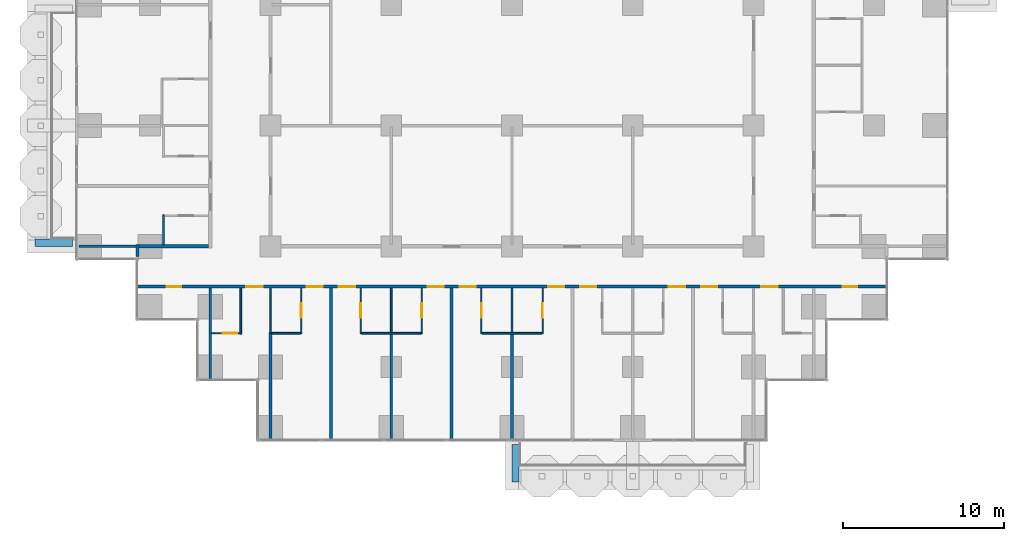
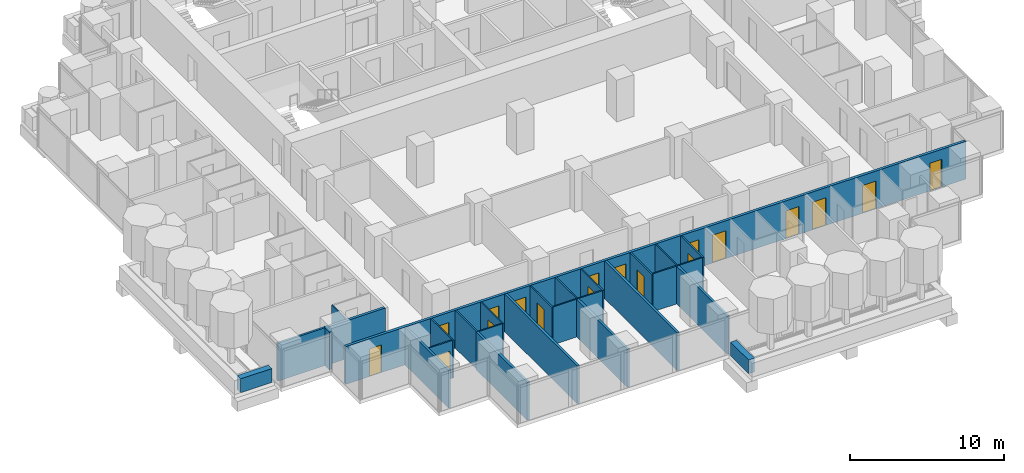
# One storey, part 11 of 19: 26 walls, 18 doors, 18 openings.
"""IFC4 building model written with IfcOpenShell, lengths in metres."""

from ifc_helpers import new_model, si_unit, direction, frame, frame_2d, origin, place, context, subcontext, project, spatial, rectangle, extrude, material, layer, layer_set, type_object, element, fill, save


model = new_model("IFC4")

# Units and contexts
model_context = context("Model", 3, precision=1e-05, world=origin(), true_north=direction((0.0, 1.0)))
body_context = subcontext(model_context, "Body", "Model", "MODEL_VIEW")
ifc_project = project(units=[si_unit("LENGTHUNIT", "METRE"), si_unit("AREAUNIT", "SQUARE_METRE"), si_unit("VOLUMEUNIT", "CUBIC_METRE"), si_unit("PLANEANGLEUNIT", "RADIAN"), si_unit("MASSUNIT", "GRAM", prefix="KILO")], contexts=[model_context])

# Site, building, storey
site_placement = place(None, origin())
site = spatial("IfcSite", under=ifc_project, at=site_placement, CompositionType="ELEMENT")
building_placement = place(site_placement, origin())
building = spatial("IfcBuilding", under=site, at=building_placement, Name="Pilkhan Gate Tower", CompositionType="ELEMENT")
storey_placement = place(building_placement, frame((0.0, 0.0, 65.89990234375)))
storey = spatial("IfcBuildingStorey", under=building, at=storey_placement, Name="L14", CompositionType="ELEMENT", Elevation=65.89990234375)

# Walls
ifc_material_1 = material(Name="Dense blockwork", Category="masonry")
ifc_layer_1 = layer(ifc_material_1, 0.175048828125)
ifc_layer_set_1 = layer_set([ifc_layer_1], Name="Acoustic party wall PW175")
wall_type_1 = type_object("IfcWallType", Name="Acoustic party wall PW175", PredefinedType="PARTITIONING", material=ifc_layer_set_1)
wall_1_placement = place(storey_placement, frame((60.0, 40.485107421875, 0.0), z_axis=(0.0, 0.0, 1.0), x_axis=(0.0, 1.0, 0.0)))
element("IfcWall", 1, at=wall_1_placement, inside=storey, type_object=wall_type_1, Name="Partition L14", PredefinedType="PARTITIONING", context=body_context, shape_type="SweptSolid", body=[
    extrude(rectangle(XDim=6.664794921875, YDim=0.175048828125, at=frame_2d((3.33251953125, 0.0))), origin(), (0.0, 0.0, 1.0), 3.0),
])
wall_2_placement = place(storey_placement, frame((63.75, 40.485107421875, 0.0), z_axis=(0.0, 0.0, 1.0), x_axis=(0.0, 1.0, 0.0)))
element("IfcWall", 2, at=wall_2_placement, inside=storey, type_object=wall_type_1, Name="Partition L14", PredefinedType="PARTITIONING", context=body_context, shape_type="SweptSolid", body=[
    extrude(rectangle(XDim=9.414794921875, YDim=0.175048828125, at=frame_2d((4.70751953125, 0.0))), origin(), (0.0, 0.0, 1.0), 3.0),
])
wall_3_placement = place(storey_placement, frame((67.5, 40.485107421875, 0.0), z_axis=(0.0, 0.0, 1.0), x_axis=(0.0, 1.0, 0.0)))
element("IfcWall", 3, at=wall_3_placement, inside=storey, type_object=wall_type_1, Name="Partition L14", PredefinedType="PARTITIONING", context=body_context, shape_type="SweptSolid", body=[
    extrude(rectangle(XDim=6.56494140625, YDim=0.175048828125, at=frame_2d((3.282470703125, 0.0))), origin(), (0.0, 0.0, 1.0), 3.0),
])
wall_4_placement = place(storey_placement, frame((71.25, 40.485107421875, 0.0), z_axis=(0.0, 0.0, 1.0), x_axis=(0.0, 1.0, 0.0)))
element("IfcWall", 4, at=wall_4_placement, inside=storey, type_object=wall_type_1, Name="Partition L14", PredefinedType="PARTITIONING", context=body_context, shape_type="SweptSolid", body=[
    extrude(rectangle(XDim=9.414794921875, YDim=0.175048828125, at=frame_2d((4.70751953125, 0.0))), origin(), (0.0, 0.0, 1.0), 3.0),
])
wall_5_placement = place(storey_placement, frame((75.0, 40.485107421875, 0.0), z_axis=(0.0, 0.0, 1.0), x_axis=(0.0, 1.0, 0.0)))
element("IfcWall", 5, at=wall_5_placement, inside=storey, type_object=wall_type_1, Name="Partition L14", PredefinedType="PARTITIONING", context=body_context, shape_type="SweptSolid", body=[
    extrude(rectangle(XDim=6.56494140625, YDim=0.175048828125, at=frame_2d((3.282470703125, 0.0))), origin(), (0.0, 0.0, 1.0), 3.0),
])
ifc_material_2 = material(Name="Board-marked Concrete C40/50", Category="concrete")
ifc_layer_2 = layer(ifc_material_2, 0.449951171875)
ifc_layer_set_2 = layer_set([ifc_layer_2], Name="Balcony planter lip BL450")
wall_type_2 = type_object("IfcWallType", Name="Balcony planter lip BL450", PredefinedType="USERDEFINED", material=ifc_layer_set_2)
for number, where, z_axis, x_axis, name in (
    (6, (75.22509765625, 40.199951171875, 0.0), (0.0, 0.0, 1.0), (0.0, -1.0, 0.0), "Balcony planter L14 S"),
    (7, (47.699951171875, 52.72509765625, 0.0), (0.0, 0.0, 1.0), (-1.0, 0.0, 0.0), "Balcony planter L14 W"),
):
    element("IfcWall", number, at=place(storey_placement, frame(where, z_axis=z_axis, x_axis=x_axis)), inside=storey, type_object=wall_type_2, Name=name, ObjectType="BALCONY PLANTER", PredefinedType="USERDEFINED", context=body_context, shape_type="SweptSolid", body=[
        extrude(rectangle(XDim=2.349853515625, YDim=0.449951171875, at=frame_2d((1.1748046875, 0.0))), origin(), (0.0, 0.0, 1.0), 1.10009765625),
    ])

# Wall, openings, doors
ifc_layer_3 = layer(ifc_material_1, 0.199951171875)
ifc_layer_set_3 = layer_set([ifc_layer_3], Name="Corridor wall FW200")
wall_type_3 = type_object("IfcWallType", Name="Corridor wall FW200", PredefinedType="PARTITIONING", material=ifc_layer_set_3)
wall_6_placement = place(storey_placement, frame((51.735107421875, 50.0, 0.0), z_axis=(0.0, 0.0, 1.0), x_axis=(1.0, 0.0, 0.0)))
wall_6 = element("IfcWall", 8, at=wall_6_placement, inside=storey, type_object=wall_type_3, Name="Partition L14", PredefinedType="PARTITIONING", context=body_context, shape_type="SweptSolid", body=[
    extrude(rectangle(XDim=46.52978515625, YDim=0.199951171875, at=frame_2d((23.264892578125, 0.0))), origin(), (0.0, 0.0, 1.0), 3.0),
])
opening_1_placement = place(wall_6_placement, frame((6.764892578125, 0.0, 0.0)))
opening_1 = element("IfcOpeningElement", 9, at=opening_1_placement, cuts=wall_6, Name="Opening L14-06", PredefinedType="OPENING", context=body_context, shape_type="SweptSolid", body=[
    extrude(rectangle(XDim=1.0, YDim=2.199951171875, at=frame_2d((0.5, 1.10009765625))), frame((0.0, 0.10986328125, 0.0), z_axis=(0.0, -1.0, 0.0), x_axis=(1.0, 0.0, 0.0)), (0.0, 0.0, 1.0), 0.219970703125),
])
opening_2_placement = place(wall_6_placement, frame((10.514892578125, 0.0, 0.0)))
opening_2 = element("IfcOpeningElement", 10, at=opening_2_placement, cuts=wall_6, Name="Opening L14-08", PredefinedType="OPENING", context=body_context, shape_type="SweptSolid", body=[
    extrude(rectangle(XDim=1.0, YDim=2.199951171875, at=frame_2d((0.5, 1.10009765625))), frame((0.0, 0.10986328125, 0.0), z_axis=(0.0, -1.0, 0.0), x_axis=(1.0, 0.0, 0.0)), (0.0, 0.0, 1.0), 0.219970703125),
])
opening_3_placement = place(wall_6_placement, frame((12.514892578125, 0.0, 0.0)))
opening_3 = element("IfcOpeningElement", 11, at=opening_3_placement, cuts=wall_6, Name="Opening L14-10", PredefinedType="OPENING", context=body_context, shape_type="SweptSolid", body=[
    extrude(rectangle(XDim=1.0, YDim=2.199951171875, at=frame_2d((0.5, 1.10009765625))), frame((0.0, 0.10986328125, 0.0), z_axis=(0.0, -1.0, 0.0), x_axis=(1.0, 0.0, 0.0)), (0.0, 0.0, 1.0), 0.219970703125),
])
opening_4_placement = place(wall_6_placement, frame((18.014892578125, 0.0, 0.0)))
opening_4 = element("IfcOpeningElement", 12, at=opening_4_placement, cuts=wall_6, Name="Opening L14-12", PredefinedType="OPENING", context=body_context, shape_type="SweptSolid", body=[
    extrude(rectangle(XDim=1.0, YDim=2.199951171875, at=frame_2d((0.5, 1.10009765625))), frame((0.0, 0.10986328125, 0.0), z_axis=(0.0, -1.0, 0.0), x_axis=(1.0, 0.0, 0.0)), (0.0, 0.0, 1.0), 0.219970703125),
])
opening_5_placement = place(wall_6_placement, frame((20.014892578125, 0.0, 0.0)))
opening_5 = element("IfcOpeningElement", 13, at=opening_5_placement, cuts=wall_6, Name="Opening L14-14", PredefinedType="OPENING", context=body_context, shape_type="SweptSolid", body=[
    extrude(rectangle(XDim=1.0, YDim=2.199951171875, at=frame_2d((0.5, 1.10009765625))), frame((0.0, 0.10986328125, 0.0), z_axis=(0.0, -1.0, 0.0), x_axis=(1.0, 0.0, 0.0)), (0.0, 0.0, 1.0), 0.219970703125),
])
opening_6_placement = place(wall_6_placement, frame((25.514892578125, 0.0, 0.0)))
opening_6 = element("IfcOpeningElement", 14, at=opening_6_placement, cuts=wall_6, Name="Opening L14-16", PredefinedType="OPENING", context=body_context, shape_type="SweptSolid", body=[
    extrude(rectangle(XDim=1.0, YDim=2.199951171875, at=frame_2d((0.5, 1.10009765625))), frame((0.0, 0.10986328125, 0.0), z_axis=(0.0, -1.0, 0.0), x_axis=(1.0, 0.0, 0.0)), (0.0, 0.0, 1.0), 0.219970703125),
])
opening_7_placement = place(wall_6_placement, frame((27.514892578125, 0.0, 0.0)))
opening_7 = element("IfcOpeningElement", 15, at=opening_7_placement, cuts=wall_6, Name="Opening L14-18", PredefinedType="OPENING", context=body_context, shape_type="SweptSolid", body=[
    extrude(rectangle(XDim=1.0, YDim=2.199951171875, at=frame_2d((0.5, 1.10009765625))), frame((0.0, 0.10986328125, 0.0), z_axis=(0.0, -1.0, 0.0), x_axis=(1.0, 0.0, 0.0)), (0.0, 0.0, 1.0), 0.219970703125),
])
opening_8_placement = place(wall_6_placement, frame((33.014892578125, 0.0, 0.0)))
opening_8 = element("IfcOpeningElement", 16, at=opening_8_placement, cuts=wall_6, Name="Opening L14-20", PredefinedType="OPENING", context=body_context, shape_type="SweptSolid", body=[
    extrude(rectangle(XDim=1.0, YDim=2.199951171875, at=frame_2d((0.5, 1.10009765625))), frame((0.0, 0.10986328125, 0.0), z_axis=(0.0, -1.0, 0.0), x_axis=(1.0, 0.0, 0.0)), (0.0, 0.0, 1.0), 0.219970703125),
])
opening_9_placement = place(wall_6_placement, frame((35.014892578125, 0.0, 0.0)))
opening_9 = element("IfcOpeningElement", 17, at=opening_9_placement, cuts=wall_6, Name="Opening L14-22", PredefinedType="OPENING", context=body_context, shape_type="SweptSolid", body=[
    extrude(rectangle(XDim=1.0, YDim=2.199951171875, at=frame_2d((0.5, 1.10009765625))), frame((0.0, 0.10986328125, 0.0), z_axis=(0.0, -1.0, 0.0), x_axis=(1.0, 0.0, 0.0)), (0.0, 0.0, 1.0), 0.219970703125),
])
opening_10_placement = place(wall_6_placement, frame((38.764892578125, 0.0, 0.0)))
opening_10 = element("IfcOpeningElement", 18, at=opening_10_placement, cuts=wall_6, Name="Opening L14-24", PredefinedType="OPENING", context=body_context, shape_type="SweptSolid", body=[
    extrude(rectangle(XDim=1.0, YDim=2.199951171875, at=frame_2d((0.5, 1.10009765625))), frame((0.0, 0.10986328125, 0.0), z_axis=(0.0, -1.0, 0.0), x_axis=(1.0, 0.0, 0.0)), (0.0, 0.0, 1.0), 0.219970703125),
])
opening_11_placement = place(wall_6_placement, frame((1.800048828125, 0.0, 0.0)))
opening_11 = element("IfcOpeningElement", 19, at=opening_11_placement, cuts=wall_6, Name="Opening L14-53", PredefinedType="OPENING", context=body_context, shape_type="SweptSolid", body=[
    extrude(rectangle(XDim=0.89990234375, YDim=2.199951171875, at=frame_2d((0.449951171875, 1.10009765625))), frame((0.0, 0.10986328125, 0.0), z_axis=(0.0, -1.0, 0.0), x_axis=(1.0, 0.0, 0.0)), (0.0, 0.0, 1.0), 0.219970703125),
])
opening_12_placement = place(wall_6_placement, frame((43.81494140625, 0.0, 0.0)))
opening_12 = element("IfcOpeningElement", 20, at=opening_12_placement, cuts=wall_6, Name="Opening L14-54", PredefinedType="OPENING", context=body_context, shape_type="SweptSolid", body=[
    extrude(rectangle(XDim=0.89990234375, YDim=2.199951171875, at=frame_2d((0.449951171875, 1.10009765625))), frame((0.0, 0.10986328125, 0.0), z_axis=(0.0, -1.0, 0.0), x_axis=(1.0, 0.0, 0.0)), (0.0, 0.0, 1.0), 0.219970703125),
])
ifc_material_3 = material(Name="Timber flush door, 30 minute fire resisting", Category="wood")
door_type_1 = type_object("IfcDoorType", Name="Guest room door D01 1000x2200", OperationType="SINGLE_SWING_LEFT", PredefinedType="DOOR", material=ifc_material_3)
door_1_placement = place(opening_1_placement, origin())
door_1 = element("IfcDoor", 21, at=door_1_placement, inside=storey, type_object=door_type_1, Name="Guest room door", OperationType="SINGLE_SWING_RIGHT", OverallHeight=2.199951171875, OverallWidth=1.0, PredefinedType="DOOR", context=body_context, shape_type="SweptSolid", body=[
    extrude(rectangle(XDim=1.0, YDim=2.199951171875, at=frame_2d((0.5, 1.10009765625))), frame((0.0, 0.02490234375, 0.0), z_axis=(0.0, -1.0, 0.0), x_axis=(1.0, 0.0, 0.0)), (0.0, 0.0, 1.0), 0.050048828125),
])
fill(opening_1, door_1)
door_2_placement = place(opening_2_placement, origin())
door_2 = element("IfcDoor", 22, at=door_2_placement, inside=storey, type_object=door_type_1, Name="Guest room door", OperationType="SINGLE_SWING_LEFT", OverallHeight=2.199951171875, OverallWidth=1.0, PredefinedType="DOOR", context=body_context, shape_type="SweptSolid", body=[
    extrude(rectangle(XDim=1.0, YDim=2.199951171875, at=frame_2d((0.5, 1.10009765625))), frame((0.0, 0.02490234375, 0.0), z_axis=(0.0, -1.0, 0.0), x_axis=(1.0, 0.0, 0.0)), (0.0, 0.0, 1.0), 0.050048828125),
])
fill(opening_2, door_2)
door_3_placement = place(opening_3_placement, origin())
door_3 = element("IfcDoor", 23, at=door_3_placement, inside=storey, type_object=door_type_1, Name="Guest room door", OperationType="SINGLE_SWING_LEFT", OverallHeight=2.199951171875, OverallWidth=1.0, PredefinedType="DOOR", context=body_context, shape_type="SweptSolid", body=[
    extrude(rectangle(XDim=1.0, YDim=2.199951171875, at=frame_2d((0.5, 1.10009765625))), frame((0.0, 0.02490234375, 0.0), z_axis=(0.0, -1.0, 0.0), x_axis=(1.0, 0.0, 0.0)), (0.0, 0.0, 1.0), 0.050048828125),
])
fill(opening_3, door_3)
door_4_placement = place(opening_4_placement, origin())
door_4 = element("IfcDoor", 24, at=door_4_placement, inside=storey, type_object=door_type_1, Name="Guest room door", OperationType="SINGLE_SWING_LEFT", OverallHeight=2.199951171875, OverallWidth=1.0, PredefinedType="DOOR", context=body_context, shape_type="SweptSolid", body=[
    extrude(rectangle(XDim=1.0, YDim=2.199951171875, at=frame_2d((0.5, 1.10009765625))), frame((0.0, 0.02490234375, 0.0), z_axis=(0.0, -1.0, 0.0), x_axis=(1.0, 0.0, 0.0)), (0.0, 0.0, 1.0), 0.050048828125),
])
fill(opening_4, door_4)
door_5_placement = place(opening_5_placement, origin())
door_5 = element("IfcDoor", 25, at=door_5_placement, inside=storey, type_object=door_type_1, Name="Guest room door", OperationType="SINGLE_SWING_LEFT", OverallHeight=2.199951171875, OverallWidth=1.0, PredefinedType="DOOR", context=body_context, shape_type="SweptSolid", body=[
    extrude(rectangle(XDim=1.0, YDim=2.199951171875, at=frame_2d((0.5, 1.10009765625))), frame((0.0, 0.02490234375, 0.0), z_axis=(0.0, -1.0, 0.0), x_axis=(1.0, 0.0, 0.0)), (0.0, 0.0, 1.0), 0.050048828125),
])
fill(opening_5, door_5)
door_6_placement = place(opening_6_placement, origin())
door_6 = element("IfcDoor", 26, at=door_6_placement, inside=storey, type_object=door_type_1, Name="Guest room door", OperationType="SINGLE_SWING_LEFT", OverallHeight=2.199951171875, OverallWidth=1.0, PredefinedType="DOOR", context=body_context, shape_type="SweptSolid", body=[
    extrude(rectangle(XDim=1.0, YDim=2.199951171875, at=frame_2d((0.5, 1.10009765625))), frame((0.0, 0.02490234375, 0.0), z_axis=(0.0, -1.0, 0.0), x_axis=(1.0, 0.0, 0.0)), (0.0, 0.0, 1.0), 0.050048828125),
])
fill(opening_6, door_6)
door_7_placement = place(opening_7_placement, origin())
door_7 = element("IfcDoor", 27, at=door_7_placement, inside=storey, type_object=door_type_1, Name="Guest room door", OperationType="SINGLE_SWING_RIGHT", OverallHeight=2.199951171875, OverallWidth=1.0, PredefinedType="DOOR", context=body_context, shape_type="SweptSolid", body=[
    extrude(rectangle(XDim=1.0, YDim=2.199951171875, at=frame_2d((0.5, 1.10009765625))), frame((0.0, 0.02490234375, 0.0), z_axis=(0.0, -1.0, 0.0), x_axis=(1.0, 0.0, 0.0)), (0.0, 0.0, 1.0), 0.050048828125),
])
fill(opening_7, door_7)
door_8_placement = place(opening_8_placement, origin())
door_8 = element("IfcDoor", 28, at=door_8_placement, inside=storey, type_object=door_type_1, Name="Guest room door", OperationType="SINGLE_SWING_RIGHT", OverallHeight=2.199951171875, OverallWidth=1.0, PredefinedType="DOOR", context=body_context, shape_type="SweptSolid", body=[
    extrude(rectangle(XDim=1.0, YDim=2.199951171875, at=frame_2d((0.5, 1.10009765625))), frame((0.0, 0.02490234375, 0.0), z_axis=(0.0, -1.0, 0.0), x_axis=(1.0, 0.0, 0.0)), (0.0, 0.0, 1.0), 0.050048828125),
])
fill(opening_8, door_8)
door_9_placement = place(opening_9_placement, origin())
door_9 = element("IfcDoor", 29, at=door_9_placement, inside=storey, type_object=door_type_1, Name="Guest room door", OperationType="SINGLE_SWING_LEFT", OverallHeight=2.199951171875, OverallWidth=1.0, PredefinedType="DOOR", context=body_context, shape_type="SweptSolid", body=[
    extrude(rectangle(XDim=1.0, YDim=2.199951171875, at=frame_2d((0.5, 1.10009765625))), frame((0.0, 0.02490234375, 0.0), z_axis=(0.0, -1.0, 0.0), x_axis=(1.0, 0.0, 0.0)), (0.0, 0.0, 1.0), 0.050048828125),
])
fill(opening_9, door_9)
door_10_placement = place(opening_10_placement, origin())
door_10 = element("IfcDoor", 30, at=door_10_placement, inside=storey, type_object=door_type_1, Name="Guest room door", OperationType="SINGLE_SWING_LEFT", OverallHeight=2.199951171875, OverallWidth=1.0, PredefinedType="DOOR", context=body_context, shape_type="SweptSolid", body=[
    extrude(rectangle(XDim=1.0, YDim=2.199951171875, at=frame_2d((0.5, 1.10009765625))), frame((0.0, 0.02490234375, 0.0), z_axis=(0.0, -1.0, 0.0), x_axis=(1.0, 0.0, 0.0)), (0.0, 0.0, 1.0), 0.050048828125),
])
fill(opening_10, door_10)
ifc_material_4 = material(Name="Timber flush door, 60 minute fire resisting, self-closing", Category="wood")
door_type_2 = type_object("IfcDoorType", Name="Store door D05 900x2200", OperationType="SINGLE_SWING_LEFT", PredefinedType="DOOR", material=ifc_material_4)
door_11_placement = place(opening_11_placement, origin())
door_11 = element("IfcDoor", 31, at=door_11_placement, inside=storey, type_object=door_type_2, Name="Store door", OperationType="SINGLE_SWING_RIGHT", OverallHeight=2.199951171875, OverallWidth=0.89990234375, PredefinedType="DOOR", context=body_context, shape_type="SweptSolid", body=[
    extrude(rectangle(XDim=0.89990234375, YDim=2.199951171875, at=frame_2d((0.449951171875, 1.10009765625))), frame((0.0, 0.02490234375, 0.0), z_axis=(0.0, -1.0, 0.0), x_axis=(1.0, 0.0, 0.0)), (0.0, 0.0, 1.0), 0.050048828125),
])
fill(opening_11, door_11)
door_12_placement = place(opening_12_placement, origin())
door_12 = element("IfcDoor", 32, at=door_12_placement, inside=storey, type_object=door_type_2, Name="Store door", OperationType="SINGLE_SWING_LEFT", OverallHeight=2.199951171875, OverallWidth=0.89990234375, PredefinedType="DOOR", context=body_context, shape_type="SweptSolid", body=[
    extrude(rectangle(XDim=0.89990234375, YDim=2.199951171875, at=frame_2d((0.449951171875, 1.10009765625))), frame((0.0, 0.02490234375, 0.0), z_axis=(0.0, -1.0, 0.0), x_axis=(1.0, 0.0, 0.0)), (0.0, 0.0, 1.0), 0.050048828125),
])
fill(opening_12, door_12)

# Walls
wall_7_placement = place(storey_placement, frame((51.8349609375, 52.5, 0.0), z_axis=(0.0, 0.0, 1.0), x_axis=(1.0, 0.0, 0.0)))
element("IfcWall", 33, at=wall_7_placement, inside=storey, type_object=wall_type_3, Name="Partition L14", PredefinedType="PARTITIONING", context=body_context, shape_type="SweptSolid", body=[
    extrude(rectangle(XDim=4.31494140625, YDim=0.199951171875, at=frame_2d((2.157470703125, 0.0))), origin(), (0.0, 0.0, 1.0), 3.0),
])
wall_8_placement = place(storey_placement, frame((51.735107421875, 51.85498046875, 0.0), z_axis=(0.0, 0.0, 1.0), x_axis=(0.0, 1.0, 0.0)))
element("IfcWall", 34, at=wall_8_placement, inside=storey, type_object=wall_type_3, Name="Partition L14", PredefinedType="PARTITIONING", context=body_context, shape_type="SweptSolid", body=[
    extrude(rectangle(XDim=0.7451171875, YDim=0.199951171875, at=frame_2d((0.37255859375, 0.0))), origin(), (0.0, 0.0, 1.0), 3.0),
])
ifc_material_5 = material(Name="Blockwork partition, plastered both sides", Category="masonry")
ifc_layer_4 = layer(ifc_material_5, 0.14990234375)
ifc_layer_set_4 = layer_set([ifc_layer_4], Name="Partition PW150")
wall_type_4 = type_object("IfcWallType", Name="Partition PW150", PredefinedType="PARTITIONING", material=ifc_layer_set_4)
wall_9_placement = place(storey_placement, frame((48.10498046875, 52.5, 0.0), z_axis=(0.0, 0.0, 1.0), x_axis=(1.0, 0.0, 0.0)))
element("IfcWall", 35, at=wall_9_placement, inside=storey, type_object=wall_type_4, Name="Partition L14", PredefinedType="PARTITIONING", context=body_context, shape_type="SweptSolid", body=[
    extrude(rectangle(XDim=3.530029296875, YDim=0.14990234375, at=frame_2d((1.76513671875, 0.0))), origin(), (0.0, 0.0, 1.0), 3.0),
])
wall_10_placement = place(storey_placement, frame((56.25, 44.235107421875, 0.0), z_axis=(0.0, 0.0, 1.0), x_axis=(0.0, 1.0, 0.0)))
element("IfcWall", 36, at=wall_10_placement, inside=storey, type_object=wall_type_4, Name="Partition L14", PredefinedType="PARTITIONING", context=body_context, shape_type="SweptSolid", body=[
    extrude(rectangle(XDim=5.664794921875, YDim=0.14990234375, at=frame_2d((2.83251953125, 0.0))), origin(), (0.0, 0.0, 1.0), 3.0),
])

# Wall, opening, door
ifc_material_6 = material(Name="Moisture resistant board, tiled")
ifc_layer_5 = layer(ifc_material_6, 0.10009765625)
ifc_layer_set_5 = layer_set([ifc_layer_5], Name="Wet wall PW100")
wall_type_5 = type_object("IfcWallType", Name="Wet wall PW100", PredefinedType="PARTITIONING", material=ifc_layer_set_5)
wall_11_placement = place(storey_placement, frame((56.324951171875, 47.10009765625, 0.0), z_axis=(0.0, 0.0, 1.0), x_axis=(1.0, 0.0, 0.0)))
wall_11 = element("IfcWall", 37, at=wall_11_placement, inside=storey, type_object=wall_type_5, Name="Partition L14", PredefinedType="PARTITIONING", context=body_context, shape_type="SweptSolid", body=[
    extrude(rectangle(XDim=1.775146484375, YDim=0.10009765625, at=frame_2d((0.8876953125, 0.0))), origin(), (0.0, 0.0, 1.0), 3.0),
])
opening_13_placement = place(wall_11_placement, frame((0.699951171875, 0.0, 0.0)))
opening_13 = element("IfcOpeningElement", 38, at=opening_13_placement, cuts=wall_11, Name="Opening L14-07", PredefinedType="OPENING", context=body_context, shape_type="SweptSolid", body=[
    extrude(rectangle(XDim=0.89990234375, YDim=2.199951171875, at=frame_2d((0.449951171875, 1.10009765625))), frame((0.0, 0.06005859375, 0.0), z_axis=(0.0, -1.0, 0.0), x_axis=(1.0, 0.0, 0.0)), (0.0, 0.0, 1.0), 0.1201171875),
])
ifc_material_7 = material(Name="Timber flush door", Category="wood")
door_type_3 = type_object("IfcDoorType", Name="Bathroom door D02 900x2200", OperationType="SINGLE_SWING_RIGHT", PredefinedType="DOOR", material=ifc_material_7)
door_13_placement = place(opening_13_placement, origin())
door_13 = element("IfcDoor", 39, at=door_13_placement, inside=storey, type_object=door_type_3, Name="Bathroom door", OperationType="SINGLE_SWING_RIGHT", OverallHeight=2.199951171875, OverallWidth=0.89990234375, PredefinedType="DOOR", context=body_context, shape_type="SweptSolid", body=[
    extrude(rectangle(XDim=0.89990234375, YDim=2.199951171875, at=frame_2d((0.449951171875, 1.10009765625))), frame((0.0, 0.02490234375, 0.0), z_axis=(0.0, -1.0, 0.0), x_axis=(1.0, 0.0, 0.0)), (0.0, 0.0, 1.0), 0.050048828125),
])
fill(opening_13, door_13)

# Walls
wall_12_placement = place(storey_placement, frame((60.087890625, 47.10009765625, 0.0), z_axis=(0.0, 0.0, 1.0), x_axis=(1.0, 0.0, 0.0)))
element("IfcWall", 40, at=wall_12_placement, inside=storey, type_object=wall_type_5, Name="Partition L14", PredefinedType="PARTITIONING", context=body_context, shape_type="SweptSolid", body=[
    extrude(rectangle(XDim=1.76220703125, YDim=0.10009765625, at=frame_2d((0.881103515625, 0.0))), origin(), (0.0, 0.0, 1.0), 3.0),
])
for number, where, z_axis, x_axis, name in (
    (41, (65.64990234375, 47.10009765625, 0.0), (0.0, 0.0, 1.0), (1.0, 0.0, 0.0), "Partition L14"),
    (42, (73.14990234375, 47.10009765625, 0.0), (0.0, 0.0, 1.0), (1.0, 0.0, 0.0), "Partition L14"),
):
    element("IfcWall", number, at=place(storey_placement, frame(where, z_axis=z_axis, x_axis=x_axis)), inside=storey, type_object=wall_type_5, Name=name, PredefinedType="PARTITIONING", context=body_context, shape_type="SweptSolid", body=[
        extrude(rectangle(XDim=3.7001953125, YDim=0.10009765625, at=frame_2d((1.85009765625, 0.0))), origin(), (0.0, 0.0, 1.0), 3.0),
    ])
wall_13_placement = place(storey_placement, frame((53.35009765625, 52.60009765625, 0.0), z_axis=(0.0, 0.0, 1.0), x_axis=(0.0, 1.0, 0.0)))
element("IfcWall", 43, at=wall_13_placement, inside=storey, type_object=wall_type_5, Name="Partition L14", PredefinedType="PARTITIONING", context=body_context, shape_type="SweptSolid", body=[
    extrude(rectangle(XDim=1.849853515625, YDim=0.10009765625, at=frame_2d((0.9248046875, 0.0))), origin(), (0.0, 0.0, 1.0), 3.0),
])
wall_14_placement = place(storey_placement, frame((58.14990234375, 47.050048828125, 0.0), z_axis=(0.0, 0.0, 1.0), x_axis=(0.0, 1.0, 0.0)))
element("IfcWall", 44, at=wall_14_placement, inside=storey, type_object=wall_type_5, Name="Partition L14", PredefinedType="PARTITIONING", context=body_context, shape_type="SweptSolid", body=[
    extrude(rectangle(XDim=2.849853515625, YDim=0.10009765625, at=frame_2d((1.4248046875, 0.0))), origin(), (0.0, 0.0, 1.0), 3.0),
])
wall_15_placement = place(storey_placement, frame((60.0, 47.10009765625, 0.0), z_axis=(0.0, 0.0, 1.0), x_axis=(0.0, 1.0, 0.0)))
element("IfcWall", 45, at=wall_15_placement, inside=storey, type_object=wall_type_5, Name="Partition L14", PredefinedType="PARTITIONING", context=body_context, shape_type="SweptSolid", body=[
    extrude(rectangle(XDim=2.7998046875, YDim=0.10009765625, at=frame_2d((1.39990234375, 0.0))), origin(), (0.0, 0.0, 1.0), 3.0),
])

# Wall, opening, door
wall_16_placement = place(storey_placement, frame((61.89990234375, 47.050048828125, 0.0), z_axis=(0.0, 0.0, 1.0), x_axis=(0.0, 1.0, 0.0)))
wall_16 = element("IfcWall", 46, at=wall_16_placement, inside=storey, type_object=wall_type_5, Name="Partition L14", PredefinedType="PARTITIONING", context=body_context, shape_type="SweptSolid", body=[
    extrude(rectangle(XDim=2.849853515625, YDim=0.10009765625, at=frame_2d((1.4248046875, 0.0))), origin(), (0.0, 0.0, 1.0), 3.0),
])
opening_14_placement = place(wall_16_placement, frame((1.0, 0.0, 0.0)))
opening_14 = element("IfcOpeningElement", 47, at=opening_14_placement, cuts=wall_16, Name="Opening L14-09", PredefinedType="OPENING", context=body_context, shape_type="SweptSolid", body=[
    extrude(rectangle(XDim=0.89990234375, YDim=2.199951171875, at=frame_2d((0.449951171875, 1.10009765625))), frame((0.0, 0.06005859375, 0.0), z_axis=(0.0, -1.0, 0.0), x_axis=(1.0, 0.0, 0.0)), (0.0, 0.0, 1.0), 0.1201171875),
])
door_14_placement = place(opening_14_placement, origin())
door_14 = element("IfcDoor", 48, at=door_14_placement, inside=storey, type_object=door_type_3, Name="Bathroom door", OperationType="SINGLE_SWING_RIGHT", OverallHeight=2.199951171875, OverallWidth=0.89990234375, PredefinedType="DOOR", context=body_context, shape_type="SweptSolid", body=[
    extrude(rectangle(XDim=0.89990234375, YDim=2.199951171875, at=frame_2d((0.449951171875, 1.10009765625))), frame((0.0, 0.02490234375, 0.0), z_axis=(0.0, -1.0, 0.0), x_axis=(1.0, 0.0, 0.0)), (0.0, 0.0, 1.0), 0.050048828125),
])
fill(opening_14, door_14)

wall_17_placement = place(storey_placement, frame((65.60009765625, 47.050048828125, 0.0), z_axis=(0.0, 0.0, 1.0), x_axis=(0.0, 1.0, 0.0)))
wall_17 = element("IfcWall", 49, at=wall_17_placement, inside=storey, type_object=wall_type_5, Name="Partition L14", PredefinedType="PARTITIONING", context=body_context, shape_type="SweptSolid", body=[
    extrude(rectangle(XDim=2.849853515625, YDim=0.10009765625, at=frame_2d((1.4248046875, 0.0))), origin(), (0.0, 0.0, 1.0), 3.0),
])
opening_15_placement = place(wall_17_placement, frame((1.0, 0.0, 0.0)))
opening_15 = element("IfcOpeningElement", 50, at=opening_15_placement, cuts=wall_17, Name="Opening L14-11", PredefinedType="OPENING", context=body_context, shape_type="SweptSolid", body=[
    extrude(rectangle(XDim=0.89990234375, YDim=2.199951171875, at=frame_2d((0.449951171875, 1.10009765625))), frame((0.0, 0.06005859375, 0.0), z_axis=(0.0, -1.0, 0.0), x_axis=(1.0, 0.0, 0.0)), (0.0, 0.0, 1.0), 0.1201171875),
])
door_15_placement = place(opening_15_placement, origin())
door_15 = element("IfcDoor", 51, at=door_15_placement, inside=storey, type_object=door_type_3, Name="Bathroom door", OperationType="SINGLE_SWING_RIGHT", OverallHeight=2.199951171875, OverallWidth=0.89990234375, PredefinedType="DOOR", context=body_context, shape_type="SweptSolid", body=[
    extrude(rectangle(XDim=0.89990234375, YDim=2.199951171875, at=frame_2d((0.449951171875, 1.10009765625))), frame((0.0, 0.02490234375, 0.0), z_axis=(0.0, -1.0, 0.0), x_axis=(1.0, 0.0, 0.0)), (0.0, 0.0, 1.0), 0.050048828125),
])
fill(opening_15, door_15)

# Wall
wall_18_placement = place(storey_placement, frame((67.5, 47.14990234375, 0.0), z_axis=(0.0, 0.0, 1.0), x_axis=(0.0, 1.0, 0.0)))
element("IfcWall", 52, at=wall_18_placement, inside=storey, type_object=wall_type_5, Name="Partition L14", PredefinedType="PARTITIONING", context=body_context, shape_type="SweptSolid", body=[
    extrude(rectangle(XDim=2.75, YDim=0.10009765625, at=frame_2d((1.375, 0.0))), origin(), (0.0, 0.0, 1.0), 3.0),
])

# Wall, opening, door
wall_19_placement = place(storey_placement, frame((69.39990234375, 47.050048828125, 0.0), z_axis=(0.0, 0.0, 1.0), x_axis=(0.0, 1.0, 0.0)))
wall_19 = element("IfcWall", 53, at=wall_19_placement, inside=storey, type_object=wall_type_5, Name="Partition L14", PredefinedType="PARTITIONING", context=body_context, shape_type="SweptSolid", body=[
    extrude(rectangle(XDim=2.849853515625, YDim=0.10009765625, at=frame_2d((1.4248046875, 0.0))), origin(), (0.0, 0.0, 1.0), 3.0),
])
opening_16_placement = place(wall_19_placement, frame((1.0, 0.0, 0.0)))
opening_16 = element("IfcOpeningElement", 54, at=opening_16_placement, cuts=wall_19, Name="Opening L14-13", PredefinedType="OPENING", context=body_context, shape_type="SweptSolid", body=[
    extrude(rectangle(XDim=0.89990234375, YDim=2.199951171875, at=frame_2d((0.449951171875, 1.10009765625))), frame((0.0, 0.06005859375, 0.0), z_axis=(0.0, -1.0, 0.0), x_axis=(1.0, 0.0, 0.0)), (0.0, 0.0, 1.0), 0.1201171875),
])
door_16_placement = place(opening_16_placement, origin())
door_16 = element("IfcDoor", 55, at=door_16_placement, inside=storey, type_object=door_type_3, Name="Bathroom door", OperationType="SINGLE_SWING_RIGHT", OverallHeight=2.199951171875, OverallWidth=0.89990234375, PredefinedType="DOOR", context=body_context, shape_type="SweptSolid", body=[
    extrude(rectangle(XDim=0.89990234375, YDim=2.199951171875, at=frame_2d((0.449951171875, 1.10009765625))), frame((0.0, 0.02490234375, 0.0), z_axis=(0.0, -1.0, 0.0), x_axis=(1.0, 0.0, 0.0)), (0.0, 0.0, 1.0), 0.050048828125),
])
fill(opening_16, door_16)

wall_20_placement = place(storey_placement, frame((73.10009765625, 47.050048828125, 0.0), z_axis=(0.0, 0.0, 1.0), x_axis=(0.0, 1.0, 0.0)))
wall_20 = element("IfcWall", 56, at=wall_20_placement, inside=storey, type_object=wall_type_5, Name="Partition L14", PredefinedType="PARTITIONING", context=body_context, shape_type="SweptSolid", body=[
    extrude(rectangle(XDim=2.849853515625, YDim=0.10009765625, at=frame_2d((1.4248046875, 0.0))), origin(), (0.0, 0.0, 1.0), 3.0),
])
opening_17_placement = place(wall_20_placement, frame((1.0, 0.0, 0.0)))
opening_17 = element("IfcOpeningElement", 57, at=opening_17_placement, cuts=wall_20, Name="Opening L14-15", PredefinedType="OPENING", context=body_context, shape_type="SweptSolid", body=[
    extrude(rectangle(XDim=0.89990234375, YDim=2.199951171875, at=frame_2d((0.449951171875, 1.10009765625))), frame((0.0, 0.06005859375, 0.0), z_axis=(0.0, -1.0, 0.0), x_axis=(1.0, 0.0, 0.0)), (0.0, 0.0, 1.0), 0.1201171875),
])
door_17_placement = place(opening_17_placement, origin())
door_17 = element("IfcDoor", 58, at=door_17_placement, inside=storey, type_object=door_type_3, Name="Bathroom door", OperationType="SINGLE_SWING_RIGHT", OverallHeight=2.199951171875, OverallWidth=0.89990234375, PredefinedType="DOOR", context=body_context, shape_type="SweptSolid", body=[
    extrude(rectangle(XDim=0.89990234375, YDim=2.199951171875, at=frame_2d((0.449951171875, 1.10009765625))), frame((0.0, 0.02490234375, 0.0), z_axis=(0.0, -1.0, 0.0), x_axis=(1.0, 0.0, 0.0)), (0.0, 0.0, 1.0), 0.050048828125),
])
fill(opening_17, door_17)

# Wall
wall_21_placement = place(storey_placement, frame((75.0, 47.14990234375, 0.0), z_axis=(0.0, 0.0, 1.0), x_axis=(0.0, 1.0, 0.0)))
element("IfcWall", 59, at=wall_21_placement, inside=storey, type_object=wall_type_5, Name="Partition L14", PredefinedType="PARTITIONING", context=body_context, shape_type="SweptSolid", body=[
    extrude(rectangle(XDim=2.75, YDim=0.10009765625, at=frame_2d((1.375, 0.0))), origin(), (0.0, 0.0, 1.0), 3.0),
])

# Wall, opening, door
wall_22_placement = place(storey_placement, frame((76.89990234375, 47.050048828125, 0.0), z_axis=(0.0, 0.0, 1.0), x_axis=(0.0, 1.0, 0.0)))
wall_22 = element("IfcWall", 60, at=wall_22_placement, inside=storey, type_object=wall_type_5, Name="Partition L14", PredefinedType="PARTITIONING", context=body_context, shape_type="SweptSolid", body=[
    extrude(rectangle(XDim=2.849853515625, YDim=0.10009765625, at=frame_2d((1.4248046875, 0.0))), origin(), (0.0, 0.0, 1.0), 3.0),
])
opening_18_placement = place(wall_22_placement, frame((1.0, 0.0, 0.0)))
opening_18 = element("IfcOpeningElement", 61, at=opening_18_placement, cuts=wall_22, Name="Opening L14-17", PredefinedType="OPENING", context=body_context, shape_type="SweptSolid", body=[
    extrude(rectangle(XDim=0.89990234375, YDim=2.199951171875, at=frame_2d((0.449951171875, 1.10009765625))), frame((0.0, 0.06005859375, 0.0), z_axis=(0.0, -1.0, 0.0), x_axis=(1.0, 0.0, 0.0)), (0.0, 0.0, 1.0), 0.1201171875),
])
door_18_placement = place(opening_18_placement, origin())
door_18 = element("IfcDoor", 62, at=door_18_placement, inside=storey, type_object=door_type_3, Name="Bathroom door", OperationType="SINGLE_SWING_RIGHT", OverallHeight=2.199951171875, OverallWidth=0.89990234375, PredefinedType="DOOR", context=body_context, shape_type="SweptSolid", body=[
    extrude(rectangle(XDim=0.89990234375, YDim=2.199951171875, at=frame_2d((0.449951171875, 1.10009765625))), frame((0.0, 0.02490234375, 0.0), z_axis=(0.0, -1.0, 0.0), x_axis=(1.0, 0.0, 0.0)), (0.0, 0.0, 1.0), 0.050048828125),
])
fill(opening_18, door_18)

save(model, "model.ifc")
